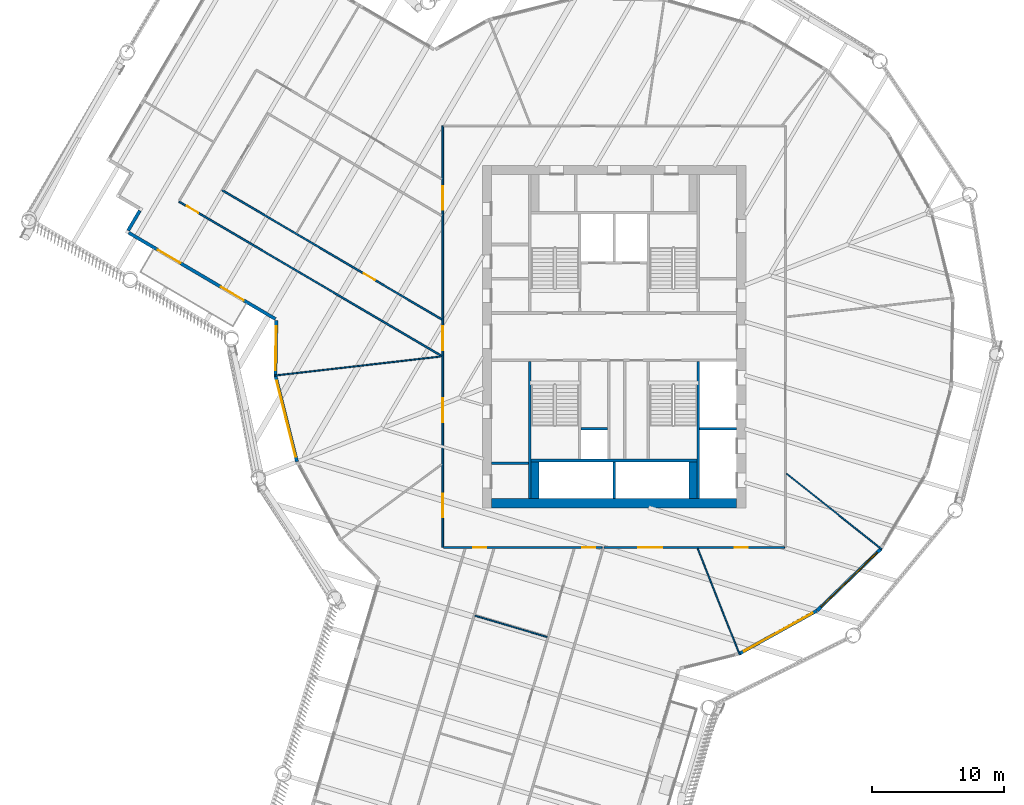
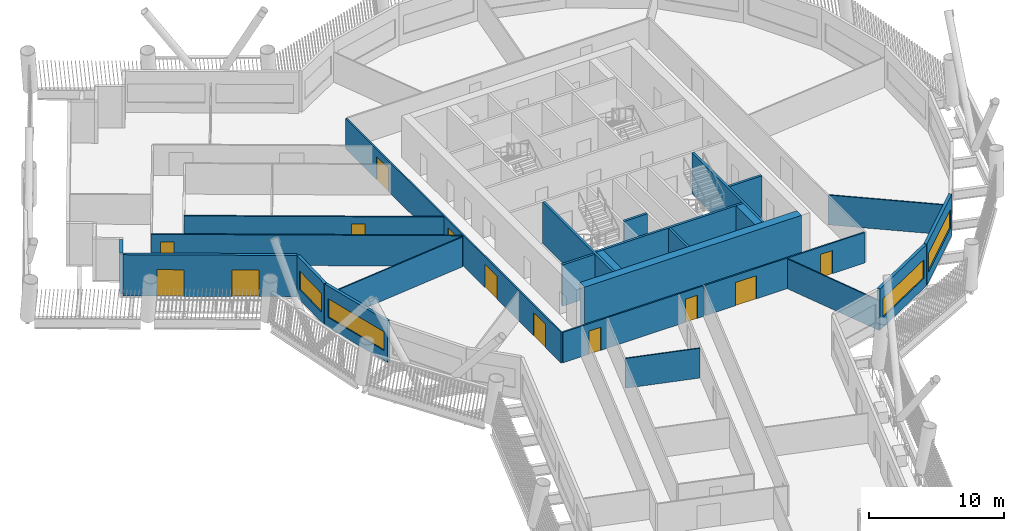
# One storey, part 4 of 23: 25 walls, 12 doors, 4 windows, 16 openings.
"""IFC4 building model written with IfcOpenShell, lengths in metres."""

import ifcopenshell
import ifcopenshell.guid

model = None  # the IFC model being written
_history = None  # IfcOwnerHistory: only IFC2X3 demands one
_inside = {}  # id of a spatial element -> (the spatial element, [elements in it])
_under = {}  # id of a project, library or spatial element -> (it, [spatial elements below it])
_declared = {}  # id of a project -> (the project, [libraries it declares])
_typed = {}  # id of a type object -> (the type object, [elements of that type])
_made_of = {}  # id of a material, layer set ... -> (it, [elements and type objects made of it])


def new_model(schema):
    """Start an empty IFC model of exactly this schema.

    Asked for "IFC4X3", IfcOpenShell would pick the latest addendum, in which some entities
    have other attributes; the version numbers below select the first issue.
    IFC2X3 requires an IfcOwnerHistory on every rooted entity: one is made here for all.
    """
    global model, _history
    if schema == "IFC4X3":
        model = ifcopenshell.file(schema_version=(4, 3, 0, 0))
    else:
        model = ifcopenshell.file(schema=schema)
    _inside.clear()
    _under.clear()
    _declared.clear()
    _typed.clear()
    _made_of.clear()
    _history = None
    if model.schema == "IFC2X3":
        org = make("IfcOrganization", Name="unknown")
        user = make(
            "IfcPersonAndOrganization",
            ThePerson=make("IfcPerson", FamilyName="unknown"),
            TheOrganization=org,
        )
        app = make(
            "IfcApplication",
            ApplicationDeveloper=org,
            Version="unknown",
            ApplicationFullName="unknown",
            ApplicationIdentifier="unknown",
        )
        _history = make(
            "IfcOwnerHistory",
            OwningUser=user,
            OwningApplication=app,
            ChangeAction="ADDED",
            CreationDate=0,
        )
    return model


def make(cls, **values):
    """One entity of the class cls with the attributes given. An attribute that is None is left unset."""
    return model.create_entity(
        cls, **{name: value for name, value in values.items() if value is not None}
    )


def rooted(cls, **values):
    """An entity with a GlobalId (a new one), such as an element, a storey or a relation."""
    return make(cls, GlobalId=ifcopenshell.guid.new(), OwnerHistory=_history, **values)


def si_unit(unit_type, name, prefix=None):
    """IfcSIUnit, for example si_unit("LENGTHUNIT", "METRE", prefix="MILLI")."""
    return make("IfcSIUnit", UnitType=unit_type, Prefix=prefix, Name=name)


def assignment(units):
    """IfcUnitAssignment: the units of a project."""
    return None if units is None else make("IfcUnitAssignment", Units=units)


def point(xyz):
    """IfcCartesianPoint."""
    return None if xyz is None else make("IfcCartesianPoint", Coordinates=xyz)


def direction(xyz):
    """IfcDirection."""
    return None if xyz is None else make("IfcDirection", DirectionRatios=xyz)


def frame(location, z_axis=None, x_axis=None):
    """IfcAxis2Placement3D, a coordinate frame: its origin and axes. An axis left out is left unset."""
    return make(
        "IfcAxis2Placement3D",
        Location=point(location),
        Axis=direction(z_axis),
        RefDirection=direction(x_axis),
    )


def frame_2d(location, x_axis=None):
    """IfcAxis2Placement2D, a coordinate frame in the plane: its origin and x axis."""
    return make(
        "IfcAxis2Placement2D", Location=point(location), RefDirection=direction(x_axis)
    )


def origin():
    """The frame at (0, 0, 0) with its axes left unset."""
    return frame((0.0, 0.0, 0.0))


def place(relative_to, where):
    """IfcLocalPlacement: puts the frame where relative to a parent placement (None: the world)."""
    return make(
        "IfcLocalPlacement", PlacementRelTo=relative_to, RelativePlacement=where
    )


def context(
    kind, dimensions, precision=None, world=None, true_north=None, identifier=None
):
    """IfcGeometricRepresentationContext, for example the 3D "Model" context."""
    return make(
        "IfcGeometricRepresentationContext",
        ContextIdentifier=identifier,
        ContextType=kind,
        CoordinateSpaceDimension=dimensions,
        Precision=precision,
        WorldCoordinateSystem=world,
        TrueNorth=true_north,
    )


def subcontext(parent, identifier, kind, view, scale=None):
    """IfcGeometricRepresentationSubContext, for example "Body" below "Model"."""
    return make(
        "IfcGeometricRepresentationSubContext",
        ContextIdentifier=identifier,
        ContextType=kind,
        ParentContext=parent,
        TargetScale=scale,
        TargetView=view,
    )


def project(units=None, contexts=None):
    """IfcProject with its units and contexts."""
    return rooted(
        "IfcProject",
        Name="project",
        RepresentationContexts=contexts,
        UnitsInContext=assignment(units),
    )


def spatial(cls, under=None, at=None, **own):
    """A site, building, storey or space (cls), placed at a placement, below another one or the project."""
    s = rooted(cls, ObjectPlacement=at, **own)
    if under is not None:
        _under.setdefault(under.id(), (under, []))[1].append(s)
    return s


def profile(cls, at=None, kind="AREA", **sizes):
    """A parametric profile (cls). Its sizes go by their IFC names, for example OverallWidth=200.0."""
    return make(cls, ProfileType=kind, Position=at, **sizes)


def rectangle(**sizes):
    """IfcRectangleProfileDef."""
    return profile("IfcRectangleProfileDef", **sizes)


def extrude(swept, where, along, depth):
    """IfcExtrudedAreaSolid: the profile swept, set in the frame where, extruded along a direction by depth."""
    return make(
        "IfcExtrudedAreaSolid",
        SweptArea=swept,
        Position=where,
        ExtrudedDirection=direction(along),
        Depth=depth,
    )


def shape(context_of_items, identifier, shape_type, items):
    """IfcShapeRepresentation: the items that make up one representation, for example the "Body"."""
    return make(
        "IfcShapeRepresentation",
        ContextOfItems=context_of_items,
        RepresentationIdentifier=identifier,
        RepresentationType=shape_type,
        Items=items,
    )


def material(Name=None, Category=None):
    """IfcMaterial."""
    return make("IfcMaterial", Name=Name, Category=Category)


def layer(
    of_material, thickness, ventilated=None, Name=None, Category=None, Priority=None
):
    """IfcMaterialLayer: one layer of a wall or slab, of a material (None: an air gap)."""
    return make(
        "IfcMaterialLayer",
        Material=of_material,
        LayerThickness=thickness,
        IsVentilated=ventilated,
        Name=Name,
        Category=Category,
        Priority=Priority,
    )


def layer_set(layers, Name=None):
    """IfcMaterialLayerSet."""
    return make("IfcMaterialLayerSet", MaterialLayers=layers, LayerSetName=Name)


def made_of(thing, what):
    """Note that an element or type object is made of a material, layer set ...; save() writes the relation."""
    if what is not None:
        _made_of.setdefault(what.id(), (what, []))[1].append(thing)
    return thing


def type_object(cls, material=None, **own):
    """A type object (cls), such as IfcWallType, which elements share."""
    return made_of(rooted(cls, **own), material)


def element(
    cls,
    number,
    at=None,
    inside=None,
    cuts=None,
    type_object=None,
    material=None,
    context=None,
    identifier="Body",
    shape_type=None,
    held_by="IfcProductDefinitionShape",
    body=None,
    shapes=None,
    **own,
):
    """One element of the class cls, such as IfcWall. Its Tag is "e" and its number.

    at: its placement. inside: the storey or other place that contains it. cuts: it is an
    opening in that element (IfcRelVoidsElement). A single representation is given by context,
    identifier, shape_type and body (its items); several are given by shapes. held_by: the class
    of the entity that holds the representations. save() writes the other relations.
    """
    e = rooted(cls, Tag="e%d" % number, ObjectPlacement=at, **own)
    if body is not None:
        shapes = [shape(context, identifier, shape_type, body)]
    if shapes is not None:
        e.Representation = make(held_by, Representations=shapes)
    if inside is not None:
        _inside.setdefault(inside.id(), (inside, []))[1].append(e)
    if cuts is not None:
        rooted(
            "IfcRelVoidsElement", RelatingBuildingElement=cuts, RelatedOpeningElement=e
        )
    if type_object is not None:
        _typed.setdefault(type_object.id(), (type_object, []))[1].append(e)
    return made_of(e, material)


def fill(opening, filler):
    """IfcRelFillsElement: the door or window that sits in an opening."""
    return rooted(
        "IfcRelFillsElement",
        RelatingOpeningElement=opening,
        RelatedBuildingElement=filler,
    )


def aggregate(whole, parts):
    """IfcRelAggregates: a whole, such as a stair, and the parts it consists of."""
    return rooted("IfcRelAggregates", RelatingObject=whole, RelatedObjects=parts)


def save(model, path):
    """Write the relations noted so far, then the file.

    IfcRelAggregates (storeys below a building ...), IfcRelContainedInSpatialStructure (elements
    in a storey), IfcRelDefinesByType, IfcRelAssociatesMaterial and IfcRelDeclares: one each for
    every whole, place, type object, material and project.
    """
    for whole, parts in _under.values():
        aggregate(whole, parts)
    for where, things in _inside.values():
        rooted(
            "IfcRelContainedInSpatialStructure",
            RelatedElements=things,
            RelatingStructure=where,
        )
    for kind, things in _typed.values():
        rooted("IfcRelDefinesByType", RelatedObjects=things, RelatingType=kind)
    for what, things in _made_of.values():
        rooted("IfcRelAssociatesMaterial", RelatedObjects=things, RelatingMaterial=what)
    for by, libraries in _declared.values():
        rooted("IfcRelDeclares", RelatingContext=by, RelatedDefinitions=libraries)
    model.write(path)


model = new_model("IFC4")

# Units and contexts
model_context = context("Model", 3, precision=1e-05, world=origin(), true_north=direction((0.0, 1.0)))
body_context = subcontext(model_context, "Body", "Model", "MODEL_VIEW")
ifc_project = project(units=[si_unit("LENGTHUNIT", "METRE"), si_unit("AREAUNIT", "SQUARE_METRE"), si_unit("VOLUMEUNIT", "CUBIC_METRE"), si_unit("PLANEANGLEUNIT", "RADIAN"), si_unit("MASSUNIT", "GRAM", prefix="KILO")], contexts=[model_context])

# Site, building, storey
site_placement = place(None, origin())
site = spatial("IfcSite", under=ifc_project, at=site_placement, CompositionType="ELEMENT")
building_placement = place(site_placement, origin())
building = spatial("IfcBuilding", under=site, at=building_placement, Name="Tarsis Ring Headquarters", CompositionType="ELEMENT")
storey_placement = place(building_placement, frame((0.0, 0.0, 155.39990234375)))
storey = spatial("IfcBuildingStorey", under=building, at=storey_placement, Name="L35", CompositionType="ELEMENT", Elevation=155.39990234375)

# Walls
ifc_material_1 = material(Name="Blockwork", Category="masonry")
ifc_layer_1 = layer(ifc_material_1, 0.199951171875)
ifc_layer_set_1 = layer_set([ifc_layer_1], Name="Core blockwork wall 200")
wall_type_1 = type_object("IfcWallType", Name="Core blockwork wall 200", PredefinedType="PARTITIONING", material=ifc_layer_set_1)
wall_1_placement = place(storey_placement, frame((-9.300048828125, -9.60009765625, 0.0), z_axis=(0.0, 0.0, 1.0), x_axis=(1.0, 0.0, 0.0)))
element("IfcWall", 1, at=wall_1_placement, inside=storey, type_object=wall_type_1, Name="Core partition WD1", PredefinedType="PARTITIONING", context=body_context, shape_type="SweptSolid", body=[
    extrude(rectangle(XDim=2.800048828125, YDim=0.199951171875, at=frame_2d((1.39990234375, 0.0))), origin(), (0.0, 0.0, 1.0), 3.739990234375),
])
wall_2_placement = place(storey_placement, frame((-2.5, -7.0, 0.0), z_axis=(0.0, 0.0, 1.0), x_axis=(1.0, 0.0, 0.0)))
element("IfcWall", 2, at=wall_2_placement, inside=storey, type_object=wall_type_1, Name="Core partition SP1", PredefinedType="PARTITIONING", context=body_context, shape_type="SweptSolid", body=[
    extrude(rectangle(XDim=2.0, YDim=0.199951171875, at=frame_2d((1.0, 0.0))), origin(), (0.0, 0.0, 1.0), 3.739990234375),
])
ifc_material_2 = material(Name="Concrete C60/75", Category="concrete")
ifc_layer_2 = layer(ifc_material_2, 0.699951171875)
ifc_layer_set_2 = layer_set([ifc_layer_2], Name="Core wall 700 C60/75")
wall_type_2 = type_object("IfcWallType", Name="Core wall 700 C60/75", PredefinedType="SHEAR", material=ifc_layer_set_2)
wall_3_placement = place(storey_placement, frame((-9.300048828125, -12.64990234375, 0.0), z_axis=(0.0, 0.0, 1.0), x_axis=(1.0, 0.0, 0.0)))
element("IfcWall", 3, at=wall_3_placement, inside=storey, type_object=wall_type_2, Name="Core wall OS", PredefinedType="SHEAR", context=body_context, shape_type="SweptSolid", body=[
    extrude(rectangle(XDim=18.60009765625, YDim=0.699951171875, at=frame_2d((9.300048828125, 0.0))), origin(), (0.0, 0.0, 1.0), 3.739990234375),
])
ifc_material_3 = material(Name="Gypsum board on steel studs", Category="steel")
ifc_layer_3 = layer(ifc_material_3, 0.10009765625)
ifc_layer_set_3 = layer_set([ifc_layer_3], Name="FL partition 100 unrated")
wall_type_3 = type_object("IfcWallType", Name="FL partition 100 unrated", PredefinedType="PARTITIONING", material=ifc_layer_set_3)
wall_4_placement = place(storey_placement, frame((-25.779052734375, -2.955322265625, 0.0), z_axis=(0.0, 0.0, 1.0), x_axis=(0.993493051768, 0.113892739401, 0.0)))
element("IfcWall", 4, at=wall_4_placement, inside=storey, type_object=wall_type_3, Name="Partition PW3", PredefinedType="PARTITIONING", context=body_context, shape_type="SweptSolid", body=[
    extrude(rectangle(XDim=12.6708984375, YDim=0.10009765625, at=frame_2d((6.33544921875, 0.0))), origin(), (0.0, 0.0, 1.0), 2.7001953125),
])
wall_5_placement = place(storey_placement, frame((13.086181640625, -10.394287109375, 0.0), z_axis=(0.0, 0.0, 1.0), x_axis=(0.783048370037, -0.621960810809, 0.0)))
element("IfcWall", 5, at=wall_5_placement, inside=storey, type_object=wall_type_3, Name="Partition PW3", PredefinedType="PARTITIONING", context=body_context, shape_type="SweptSolid", body=[
    extrude(rectangle(XDim=9.23583984375, YDim=0.10009765625, at=frame_2d((4.617919921875, 0.0))), origin(), (0.0, 0.0, 1.0), 2.7001953125),
])
wall_6_placement = place(storey_placement, frame((6.3447265625, -16.074462890625, 0.0), z_axis=(0.0, 0.0, 1.0), x_axis=(0.367171024418, -0.930153449076, 0.0)))
element("IfcWall", 6, at=wall_6_placement, inside=storey, type_object=wall_type_3, Name="Partition PW3", PredefinedType="PARTITIONING", context=body_context, shape_type="SweptSolid", body=[
    extrude(rectangle(XDim=8.66650390625, YDim=0.10009765625, at=frame_2d((4.333251953125, 0.0))), origin(), (0.0, 0.0, 1.0), 2.7001953125),
])
wall_7_placement = place(storey_placement, frame((-10.552978515625, -21.177734375, 0.0), z_axis=(0.0, 0.0, 1.0), x_axis=(0.959020353257, -0.283337187887, 0.0)))
element("IfcWall", 7, at=wall_7_placement, inside=storey, type_object=wall_type_3, Name="Partition PW3", PredefinedType="PARTITIONING", context=body_context, shape_type="SweptSolid", body=[
    extrude(rectangle(XDim=5.699951171875, YDim=0.10009765625, at=frame_2d((2.85009765625, 0.0))), origin(), (0.0, 0.0, 1.0), 2.7001953125),
])

# Wall, openings, doors
ifc_layer_4 = layer(ifc_material_3, 0.125)
ifc_layer_set_4 = layer_set([ifc_layer_4], Name="FL partition 125 EI 60 H2770")
wall_type_4 = type_object("IfcWallType", Name="FL partition 125 EI 60 H2770", PredefinedType="PARTITIONING", material=ifc_layer_set_4)
wall_8_placement = place(storey_placement, frame((-13.0, -15.998046875, 0.0), z_axis=(0.0, 0.0, 1.0), x_axis=(0.0, 1.0, 0.0)))
wall_8 = element("IfcWall", 8, at=wall_8_placement, inside=storey, type_object=wall_type_4, Name="Partition PW1", PredefinedType="PARTITIONING", context=body_context, shape_type="SweptSolid", body=[
    extrude(rectangle(XDim=31.998046875, YDim=0.125, at=frame_2d((15.9990234375, 0.0))), origin(), (0.0, 0.0, 1.0), 2.77001953125),
])
opening_1_placement = place(wall_8_placement, frame((2.2822265625, 0.0, 0.0)))
opening_1 = element("IfcOpeningElement", 9, at=opening_1_placement, cuts=wall_8, Name="Opening D35.12", PredefinedType="OPENING", context=body_context, shape_type="SweptSolid", body=[
    extrude(rectangle(XDim=1.800048828125, YDim=2.10009765625, at=frame_2d((0.89990234375, 1.050048828125))), frame((0.0, 0.072509765625, 0.0), z_axis=(0.0, -1.0, 0.0), x_axis=(1.0, 0.0, 0.0)), (0.0, 0.0, 1.0), 0.14501953125),
])
opening_2_placement = place(wall_8_placement, frame((9.521484375, 0.0, 0.0)))
opening_2 = element("IfcOpeningElement", 10, at=opening_2_placement, cuts=wall_8, Name="Opening D35.13", PredefinedType="OPENING", context=body_context, shape_type="SweptSolid", body=[
    extrude(rectangle(XDim=1.800048828125, YDim=2.10009765625, at=frame_2d((0.89990234375, 1.050048828125))), frame((0.0, 0.072509765625, 0.0), z_axis=(0.0, -1.0, 0.0), x_axis=(1.0, 0.0, 0.0)), (0.0, 0.0, 1.0), 0.14501953125),
])
opening_3_placement = place(wall_8_placement, frame((14.970703125, 0.0, 0.0)))
opening_3 = element("IfcOpeningElement", 11, at=opening_3_placement, cuts=wall_8, Name="Opening D35.21", PredefinedType="OPENING", context=body_context, shape_type="SweptSolid", body=[
    extrude(rectangle(XDim=1.800048828125, YDim=2.10009765625, at=frame_2d((0.89990234375, 1.050048828125))), frame((0.0, 0.072509765625, 0.0), z_axis=(0.0, -1.0, 0.0), x_axis=(1.0, 0.0, 0.0)), (0.0, 0.0, 1.0), 0.14501953125),
])
opening_4_placement = place(wall_8_placement, frame((25.62060546875, 0.0, 0.0)))
opening_4 = element("IfcOpeningElement", 12, at=opening_4_placement, cuts=wall_8, Name="Opening D35.22", PredefinedType="OPENING", context=body_context, shape_type="SweptSolid", body=[
    extrude(rectangle(XDim=1.800048828125, YDim=2.10009765625, at=frame_2d((0.89990234375, 1.050048828125))), frame((0.0, 0.072509765625, 0.0), z_axis=(0.0, -1.0, 0.0), x_axis=(1.0, 0.0, 0.0)), (0.0, 0.0, 1.0), 0.14501953125),
])
ifc_material_4 = material(Name="Fire-rated timber door leaf in steel frame", Category="steel")
door_type_1 = type_object("IfcDoorType", Name="FL door FD60-1800", OperationType="DOUBLE_DOOR_SINGLE_SWING", PredefinedType="DOOR", material=ifc_material_4)
door_1_placement = place(opening_1_placement, origin())
door_1 = element("IfcDoor", 13, at=door_1_placement, inside=storey, type_object=door_type_1, Name="Door D35.12", OperationType="DOUBLE_DOOR_SINGLE_SWING", OverallHeight=2.10009765625, OverallWidth=1.800048828125, PredefinedType="DOOR", context=body_context, shape_type="SweptSolid", body=[
    extrude(rectangle(XDim=1.800048828125, YDim=2.10009765625, at=frame_2d((0.89990234375, 1.050048828125))), frame((0.0, 0.02490234375, 0.0), z_axis=(0.0, -1.0, 0.0), x_axis=(1.0, 0.0, 0.0)), (0.0, 0.0, 1.0), 0.050048828125),
])
fill(opening_1, door_1)
door_2_placement = place(opening_2_placement, origin())
door_2 = element("IfcDoor", 14, at=door_2_placement, inside=storey, type_object=door_type_1, Name="Door D35.13", OperationType="DOUBLE_DOOR_SINGLE_SWING", OverallHeight=2.10009765625, OverallWidth=1.800048828125, PredefinedType="DOOR", context=body_context, shape_type="SweptSolid", body=[
    extrude(rectangle(XDim=1.800048828125, YDim=2.10009765625, at=frame_2d((0.89990234375, 1.050048828125))), frame((0.0, 0.02490234375, 0.0), z_axis=(0.0, -1.0, 0.0), x_axis=(1.0, 0.0, 0.0)), (0.0, 0.0, 1.0), 0.050048828125),
])
fill(opening_2, door_2)
door_3_placement = place(opening_3_placement, origin())
door_3 = element("IfcDoor", 15, at=door_3_placement, inside=storey, type_object=door_type_1, Name="Door D35.21", OperationType="DOUBLE_DOOR_SINGLE_SWING", OverallHeight=2.10009765625, OverallWidth=1.800048828125, PredefinedType="DOOR", context=body_context, shape_type="SweptSolid", body=[
    extrude(rectangle(XDim=1.800048828125, YDim=2.10009765625, at=frame_2d((0.89990234375, 1.050048828125))), frame((0.0, 0.02490234375, 0.0), z_axis=(0.0, -1.0, 0.0), x_axis=(1.0, 0.0, 0.0)), (0.0, 0.0, 1.0), 0.050048828125),
])
fill(opening_3, door_3)
door_4_placement = place(opening_4_placement, origin())
door_4 = element("IfcDoor", 16, at=door_4_placement, inside=storey, type_object=door_type_1, Name="Door D35.22", OperationType="DOUBLE_DOOR_SINGLE_SWING", OverallHeight=2.10009765625, OverallWidth=1.800048828125, PredefinedType="DOOR", context=body_context, shape_type="SweptSolid", body=[
    extrude(rectangle(XDim=1.800048828125, YDim=2.10009765625, at=frame_2d((0.89990234375, 1.050048828125))), frame((0.0, 0.02490234375, 0.0), z_axis=(0.0, -1.0, 0.0), x_axis=(1.0, 0.0, 0.0)), (0.0, 0.0, 1.0), 0.050048828125),
])
fill(opening_4, door_4)

wall_9_placement = place(storey_placement, frame((-12.93798828125, -16.0, 0.0), z_axis=(0.0, 0.0, 1.0), x_axis=(1.0, 0.0, 0.0)))
wall_9 = element("IfcWall", 17, at=wall_9_placement, inside=storey, type_object=wall_type_4, Name="Partition PW1", PredefinedType="PARTITIONING", context=body_context, shape_type="SweptSolid", body=[
    extrude(rectangle(XDim=12.037353515625, YDim=0.125, at=frame_2d((6.0185546875, 0.0))), origin(), (0.0, 0.0, 1.0), 2.77001953125),
])
opening_5_placement = place(wall_9_placement, frame((2.246826171875, 0.0, 0.0)))
opening_5 = element("IfcOpeningElement", 18, at=opening_5_placement, cuts=wall_9, Name="Opening D35.19", PredefinedType="OPENING", context=body_context, shape_type="SweptSolid", body=[
    extrude(rectangle(XDim=1.0, YDim=2.10009765625, at=frame_2d((0.5, 1.050048828125))), frame((0.0, 0.072509765625, 0.0), z_axis=(0.0, -1.0, 0.0), x_axis=(1.0, 0.0, 0.0)), (0.0, 0.0, 1.0), 0.14501953125),
])
opening_6_placement = place(wall_9_placement, frame((10.526123046875, 0.0, 0.0)))
opening_6 = element("IfcOpeningElement", 19, at=opening_6_placement, cuts=wall_9, Name="Opening D35.20", PredefinedType="OPENING", context=body_context, shape_type="SweptSolid", body=[
    extrude(rectangle(XDim=1.0, YDim=2.10009765625, at=frame_2d((0.5, 1.050048828125))), frame((0.0, 0.072509765625, 0.0), z_axis=(0.0, -1.0, 0.0), x_axis=(1.0, 0.0, 0.0)), (0.0, 0.0, 1.0), 0.14501953125),
])
door_type_2 = type_object("IfcDoorType", Name="FL door FD60-1000", OperationType="NOTDEFINED", PredefinedType="DOOR", material=ifc_material_4)
door_5_placement = place(opening_5_placement, origin())
door_5 = element("IfcDoor", 20, at=door_5_placement, inside=storey, type_object=door_type_2, Name="Door D35.19", OperationType="SINGLE_SWING_RIGHT", OverallHeight=2.10009765625, OverallWidth=1.0, PredefinedType="DOOR", context=body_context, shape_type="SweptSolid", body=[
    extrude(rectangle(XDim=1.0, YDim=2.10009765625, at=frame_2d((0.5, 1.050048828125))), frame((0.0, 0.02490234375, 0.0), z_axis=(0.0, -1.0, 0.0), x_axis=(1.0, 0.0, 0.0)), (0.0, 0.0, 1.0), 0.050048828125),
])
fill(opening_5, door_5)
door_6_placement = place(opening_6_placement, origin())
door_6 = element("IfcDoor", 21, at=door_6_placement, inside=storey, type_object=door_type_2, Name="Door D35.20", OperationType="SINGLE_SWING_LEFT", OverallHeight=2.10009765625, OverallWidth=1.0, PredefinedType="DOOR", context=body_context, shape_type="SweptSolid", body=[
    extrude(rectangle(XDim=1.0, YDim=2.10009765625, at=frame_2d((0.5, 1.050048828125))), frame((0.0, 0.02490234375, 0.0), z_axis=(0.0, -1.0, 0.0), x_axis=(1.0, 0.0, 0.0)), (0.0, 0.0, 1.0), 0.050048828125),
])
fill(opening_6, door_6)

wall_10_placement = place(storey_placement, frame((-0.757080078125, -16.0, 0.0), z_axis=(0.0, 0.0, 1.0), x_axis=(1.0, 0.0, 0.0)))
wall_10 = element("IfcWall", 22, at=wall_10_placement, inside=storey, type_object=wall_type_4, Name="Partition PW1", PredefinedType="PARTITIONING", context=body_context, shape_type="SweptSolid", body=[
    extrude(rectangle(XDim=13.697021484375, YDim=0.125, at=frame_2d((6.8486328125, 0.0))), origin(), (0.0, 0.0, 1.0), 2.77001953125),
])
opening_7_placement = place(wall_10_placement, frame((9.914794921875, 0.0, 0.0)))
opening_7 = element("IfcOpeningElement", 23, at=opening_7_placement, cuts=wall_10, Name="Opening D35.08", PredefinedType="OPENING", context=body_context, shape_type="SweptSolid", body=[
    extrude(rectangle(XDim=1.0, YDim=2.10009765625, at=frame_2d((0.5, 1.050048828125))), frame((0.0, 0.072509765625, 0.0), z_axis=(0.0, -1.0, 0.0), x_axis=(1.0, 0.0, 0.0)), (0.0, 0.0, 1.0), 0.14501953125),
])
opening_8_placement = place(wall_10_placement, frame((2.606201171875, 0.0, 0.0)))
opening_8 = element("IfcOpeningElement", 24, at=opening_8_placement, cuts=wall_10, Name="Opening D35.09", PredefinedType="OPENING", context=body_context, shape_type="SweptSolid", body=[
    extrude(rectangle(XDim=1.800048828125, YDim=2.10009765625, at=frame_2d((0.89990234375, 1.050048828125))), frame((0.0, 0.072509765625, 0.0), z_axis=(0.0, -1.0, 0.0), x_axis=(1.0, 0.0, 0.0)), (0.0, 0.0, 1.0), 0.14501953125),
])
door_7_placement = place(opening_7_placement, origin())
door_7 = element("IfcDoor", 25, at=door_7_placement, inside=storey, type_object=door_type_2, Name="Door D35.08", OperationType="SINGLE_SWING_LEFT", OverallHeight=2.10009765625, OverallWidth=1.0, PredefinedType="DOOR", context=body_context, shape_type="SweptSolid", body=[
    extrude(rectangle(XDim=1.0, YDim=2.10009765625, at=frame_2d((0.5, 1.050048828125))), frame((0.0, 0.02490234375, 0.0), z_axis=(0.0, -1.0, 0.0), x_axis=(1.0, 0.0, 0.0)), (0.0, 0.0, 1.0), 0.050048828125),
])
fill(opening_7, door_7)
door_8_placement = place(opening_8_placement, origin())
door_8 = element("IfcDoor", 26, at=door_8_placement, inside=storey, type_object=door_type_1, Name="Door D35.09", OperationType="DOUBLE_DOOR_SINGLE_SWING", OverallHeight=2.10009765625, OverallWidth=1.800048828125, PredefinedType="DOOR", context=body_context, shape_type="SweptSolid", body=[
    extrude(rectangle(XDim=1.800048828125, YDim=2.10009765625, at=frame_2d((0.89990234375, 1.050048828125))), frame((0.0, 0.02490234375, 0.0), z_axis=(0.0, -1.0, 0.0), x_axis=(1.0, 0.0, 0.0)), (0.0, 0.0, 1.0), 0.050048828125),
])
fill(opening_8, door_8)

# Wall, opening, door
wall_11_placement = place(storey_placement, frame((-33.02783203125, 10.2587890625, 0.0), z_axis=(0.0, 0.0, 1.0), x_axis=(0.861983313975, -0.506936649324, 0.0)))
wall_11 = element("IfcWall", 27, at=wall_11_placement, inside=storey, type_object=wall_type_4, Name="Partition PW1", PredefinedType="PARTITIONING", context=body_context, shape_type="SweptSolid", body=[
    extrude(rectangle(XDim=23.134521484375, YDim=0.125, at=frame_2d((11.5673828125, 0.0))), origin(), (0.0, 0.0, 1.0), 2.77001953125),
])
opening_9_placement = place(wall_11_placement, frame((0.699951171875, 0.0, 0.0)))
opening_9 = element("IfcOpeningElement", 28, at=opening_9_placement, cuts=wall_11, Name="Opening D35.01", PredefinedType="OPENING", context=body_context, shape_type="SweptSolid", body=[
    extrude(rectangle(XDim=1.0, YDim=2.10009765625, at=frame_2d((0.5, 1.050048828125))), frame((0.0, 0.072509765625, 0.0), z_axis=(0.0, -1.0, 0.0), x_axis=(1.0, 0.0, 0.0)), (0.0, 0.0, 1.0), 0.14501953125),
])
door_9_placement = place(opening_9_placement, origin())
door_9 = element("IfcDoor", 29, at=door_9_placement, inside=storey, type_object=door_type_2, Name="Door D35.01", OperationType="SINGLE_SWING_RIGHT", OverallHeight=2.10009765625, OverallWidth=1.0, PredefinedType="DOOR", context=body_context, shape_type="SweptSolid", body=[
    extrude(rectangle(XDim=1.0, YDim=2.10009765625, at=frame_2d((0.5, 1.050048828125))), frame((0.0, 0.02490234375, 0.0), z_axis=(0.0, -1.0, 0.0), x_axis=(1.0, 0.0, 0.0)), (0.0, 0.0, 1.0), 0.050048828125),
])
fill(opening_9, door_9)

wall_12_placement = place(storey_placement, frame((-29.742431640625, 11.111083984375, 0.0), z_axis=(0.0, 0.0, 1.0), x_axis=(0.861982605952, -0.506937853228, 0.0)))
wall_12 = element("IfcWall", 30, at=wall_12_placement, inside=storey, type_object=wall_type_4, Name="Partition PW1", PredefinedType="PARTITIONING", context=body_context, shape_type="SweptSolid", body=[
    extrude(rectangle(XDim=19.3232421875, YDim=0.125, at=frame_2d((9.66162109375, 0.0))), origin(), (0.0, 0.0, 1.0), 2.77001953125),
])
opening_10_placement = place(wall_12_placement, frame((12.465576171875, 0.0, 0.0)))
opening_10 = element("IfcOpeningElement", 31, at=opening_10_placement, cuts=wall_12, Name="Opening D35.14", PredefinedType="OPENING", context=body_context, shape_type="SweptSolid", body=[
    extrude(rectangle(XDim=1.0, YDim=2.10009765625, at=frame_2d((0.5, 1.050048828125))), frame((0.0, 0.072509765625, 0.0), z_axis=(0.0, -1.0, 0.0), x_axis=(1.0, 0.0, 0.0)), (0.0, 0.0, 1.0), 0.14501953125),
])
door_10_placement = place(opening_10_placement, origin())
door_10 = element("IfcDoor", 32, at=door_10_placement, inside=storey, type_object=door_type_2, Name="Door D35.14", OperationType="SINGLE_SWING_LEFT", OverallHeight=2.10009765625, OverallWidth=1.0, PredefinedType="DOOR", context=body_context, shape_type="SweptSolid", body=[
    extrude(rectangle(XDim=1.0, YDim=2.10009765625, at=frame_2d((0.5, 1.050048828125))), frame((0.0, 0.02490234375, 0.0), z_axis=(0.0, -1.0, 0.0), x_axis=(1.0, 0.0, 0.0)), (0.0, 0.0, 1.0), 0.050048828125),
])
fill(opening_10, door_10)

# Wall, openings, doors
ifc_material_5 = material(Name="Terracotta clad insulated panel wall", Category="masonry")
ifc_layer_5 = layer(ifc_material_5, 0.25)
ifc_layer_set_5 = layer_set([ifc_layer_5], Name="Facade wall terracotta panel 250")
wall_type_5 = type_object("IfcWallType", Name="Facade wall terracotta panel 250", PredefinedType="STANDARD", material=ifc_layer_set_5)
wall_13_placement = place(storey_placement, frame((-36.835693359375, 7.886962890625, 0.0), z_axis=(0.0, 0.0, 1.0), x_axis=(0.861975981819, -0.506949116546, 0.0)))
wall_13 = element("IfcWall", 33, at=wall_13_placement, inside=storey, type_object=wall_type_5, Name="External wall L35-01", PredefinedType="STANDARD", context=body_context, shape_type="SweptSolid", body=[
    extrude(rectangle(XDim=12.921875, YDim=0.25, at=frame_2d((6.4609375, 0.0))), origin(), (0.0, 0.0, 1.0), 3.739990234375),
])
opening_11_placement = place(wall_13_placement, frame((2.550048828125, 0.0, 0.0)))
opening_11 = element("IfcOpeningElement", 34, at=opening_11_placement, cuts=wall_13, Name="Opening L35-BD01", PredefinedType="OPENING", context=body_context, shape_type="SweptSolid", body=[
    extrude(rectangle(XDim=2.0, YDim=2.39990234375, at=frame_2d((1.0, 1.199951171875))), frame((0.0, 0.135009765625, 0.0), z_axis=(0.0, -1.0, 0.0), x_axis=(1.0, 0.0, 0.0)), (0.0, 0.0, 1.0), 0.27001953125),
])
opening_12_placement = place(wall_13_placement, frame((8.1220703125, 0.0, 0.0)))
opening_12 = element("IfcOpeningElement", 35, at=opening_12_placement, cuts=wall_13, Name="Opening L35-BD02", PredefinedType="OPENING", context=body_context, shape_type="SweptSolid", body=[
    extrude(rectangle(XDim=2.0, YDim=2.39990234375, at=frame_2d((1.0, 1.199951171875))), frame((0.0, 0.135009765625, 0.0), z_axis=(0.0, -1.0, 0.0), x_axis=(1.0, 0.0, 0.0)), (0.0, 0.0, 1.0), 0.27001953125),
])
ifc_material_6 = material(Name="Aluminium framed double glazing", Category="aluminium")
door_type_3 = type_object("IfcDoorType", Name="Balcony sliding door 2000 x 2400", OperationType="SLIDING_TO_LEFT", PredefinedType="DOOR", material=ifc_material_6)
door_11_placement = place(opening_11_placement, origin())
door_11 = element("IfcDoor", 36, at=door_11_placement, inside=storey, type_object=door_type_3, Name="Door L35-BD01", OperationType="SINGLE_SWING_LEFT", OverallHeight=2.39990234375, OverallWidth=2.0, PredefinedType="DOOR", context=body_context, shape_type="SweptSolid", body=[
    extrude(rectangle(XDim=2.0, YDim=2.39990234375, at=frame_2d((1.0, 1.199951171875))), frame((0.0, 0.02490234375, 0.0), z_axis=(0.0, -1.0, 0.0), x_axis=(1.0, 0.0, 0.0)), (0.0, 0.0, 1.0), 0.050048828125),
])
fill(opening_11, door_11)
door_12_placement = place(opening_12_placement, origin())
door_12 = element("IfcDoor", 37, at=door_12_placement, inside=storey, type_object=door_type_3, Name="Door L35-BD02", OperationType="SINGLE_SWING_LEFT", OverallHeight=2.39990234375, OverallWidth=2.0, PredefinedType="DOOR", context=body_context, shape_type="SweptSolid", body=[
    extrude(rectangle(XDim=2.0, YDim=2.39990234375, at=frame_2d((1.0, 1.199951171875))), frame((0.0, 0.02490234375, 0.0), z_axis=(0.0, -1.0, 0.0), x_axis=(1.0, 0.0, 0.0)), (0.0, 0.0, 1.0), 0.050048828125),
])
fill(opening_12, door_12)

# Wall, opening, window
wall_14_placement = place(storey_placement, frame((-25.635498046875, 1.2265625, 0.0), z_axis=(0.0, 0.0, 1.0), x_axis=(-0.016794483076, -0.999858962723, 0.0)))
wall_14 = element("IfcWall", 38, at=wall_14_placement, inside=storey, type_object=wall_type_5, Name="External wall L35-02", PredefinedType="STANDARD", context=body_context, shape_type="SweptSolid", body=[
    extrude(rectangle(XDim=4.157470703125, YDim=0.25, at=frame_2d((2.07861328125, 0.0))), origin(), (0.0, 0.0, 1.0), 3.739990234375),
])
opening_13_placement = place(wall_14_placement, frame((0.420166015625, 0.0, 0.89990234375)))
opening_13 = element("IfcOpeningElement", 39, at=opening_13_placement, cuts=wall_14, Name="Opening WN01", PredefinedType="OPENING", context=body_context, shape_type="SweptSolid", body=[
    extrude(rectangle(XDim=3.35009765625, YDim=1.699951171875, at=frame_2d((1.675048828125, 0.85009765625))), frame((0.0, 0.135009765625, 0.0), z_axis=(0.0, -1.0, 0.0), x_axis=(1.0, 0.0, 0.0)), (0.0, 0.0, 1.0), 0.27001953125),
])
window_type_1 = type_object("IfcWindowType", Name="Facade window 3350 x 1700", PartitioningType="SINGLE_PANEL", PredefinedType="WINDOW", material=ifc_material_6)
window_1_placement = place(opening_13_placement, origin())
window_1 = element("IfcWindow", 40, at=window_1_placement, inside=storey, type_object=window_type_1, Name="Window L35-02.1", OverallHeight=1.699951171875, OverallWidth=3.35009765625, PartitioningType="SINGLE_PANEL", PredefinedType="WINDOW", context=body_context, shape_type="SweptSolid", body=[
    extrude(rectangle(XDim=3.35009765625, YDim=1.699951171875, at=frame_2d((1.675048828125, 0.85009765625))), frame((0.0, 0.030029296875, 0.0), z_axis=(0.0, -1.0, 0.0), x_axis=(1.0, 0.0, 0.0)), (0.0, 0.0, 1.0), 0.06005859375),
])
fill(opening_13, window_1)

wall_15_placement = place(storey_placement, frame((-25.70166015625, -2.962890625, 0.0), z_axis=(0.0, 0.0, 1.0), x_axis=(0.242629633266, -0.970118993248, 0.0)))
wall_15 = element("IfcWall", 41, at=wall_15_placement, inside=storey, type_object=wall_type_5, Name="External wall L35-03", PredefinedType="STANDARD", context=body_context, shape_type="SweptSolid", body=[
    extrude(rectangle(XDim=6.7216796875, YDim=0.25, at=frame_2d((3.36083984375, 0.0))), origin(), (0.0, 0.0, 1.0), 3.739990234375),
])
opening_14_placement = place(wall_15_placement, frame((0.3857421875, 0.0, 0.89990234375)))
opening_14 = element("IfcOpeningElement", 42, at=opening_14_placement, cuts=wall_15, Name="Opening WN07", PredefinedType="OPENING", context=body_context, shape_type="SweptSolid", body=[
    extrude(rectangle(XDim=5.949951171875, YDim=1.699951171875, at=frame_2d((2.97509765625, 0.85009765625))), frame((0.0, 0.135009765625, 0.0), z_axis=(0.0, -1.0, 0.0), x_axis=(1.0, 0.0, 0.0)), (0.0, 0.0, 1.0), 0.27001953125),
])
window_type_2 = type_object("IfcWindowType", Name="Facade window 5950 x 1700", PartitioningType="SINGLE_PANEL", PredefinedType="WINDOW", material=ifc_material_6)
window_2_placement = place(opening_14_placement, origin())
window_2 = element("IfcWindow", 43, at=window_2_placement, inside=storey, type_object=window_type_2, Name="Window L35-03.1", OverallHeight=1.699951171875, OverallWidth=5.949951171875, PartitioningType="SINGLE_PANEL", PredefinedType="WINDOW", context=body_context, shape_type="SweptSolid", body=[
    extrude(rectangle(XDim=5.949951171875, YDim=1.699951171875, at=frame_2d((2.97509765625, 0.85009765625))), frame((0.0, 0.030029296875, 0.0), z_axis=(0.0, -1.0, 0.0), x_axis=(1.0, 0.0, 0.0)), (0.0, 0.0, 1.0), 0.06005859375),
])
fill(opening_14, window_2)

wall_16_placement = place(storey_placement, frame((9.513916015625, -24.058837890625, 0.0), z_axis=(0.0, 0.0, 1.0), x_axis=(0.874292590812, 0.485399284766, 0.0)))
wall_16 = element("IfcWall", 44, at=wall_16_placement, inside=storey, type_object=wall_type_5, Name="External wall L35-18", PredefinedType="STANDARD", context=body_context, shape_type="SweptSolid", body=[
    extrude(rectangle(XDim=6.7216796875, YDim=0.25, at=frame_2d((3.36083984375, 0.0))), origin(), (0.0, 0.0, 1.0), 3.739990234375),
])
opening_15_placement = place(wall_16_placement, frame((0.3857421875, 0.0, 0.89990234375)))
opening_15 = element("IfcOpeningElement", 45, at=opening_15_placement, cuts=wall_16, Name="Opening WN07", PredefinedType="OPENING", context=body_context, shape_type="SweptSolid", body=[
    extrude(rectangle(XDim=5.949951171875, YDim=1.699951171875, at=frame_2d((2.97509765625, 0.85009765625))), frame((0.0, 0.135009765625, 0.0), z_axis=(0.0, -1.0, 0.0), x_axis=(1.0, 0.0, 0.0)), (0.0, 0.0, 1.0), 0.27001953125),
])
window_3_placement = place(opening_15_placement, origin())
window_3 = element("IfcWindow", 46, at=window_3_placement, inside=storey, type_object=window_type_2, Name="Window L35-18.1", OverallHeight=1.699951171875, OverallWidth=5.949951171875, PartitioningType="SINGLE_PANEL", PredefinedType="WINDOW", context=body_context, shape_type="SweptSolid", body=[
    extrude(rectangle(XDim=5.949951171875, YDim=1.699951171875, at=frame_2d((2.97509765625, 0.85009765625))), frame((0.0, 0.030029296875, 0.0), z_axis=(0.0, -1.0, 0.0), x_axis=(1.0, 0.0, 0.0)), (0.0, 0.0, 1.0), 0.06005859375),
])
fill(opening_15, window_3)

wall_17_placement = place(storey_placement, frame((15.416748046875, -20.77685546875, 0.0), z_axis=(0.0, 0.0, 1.0), x_axis=(0.718848602154, 0.695166661443, 0.0)))
wall_17 = element("IfcWall", 47, at=wall_17_placement, inside=storey, type_object=wall_type_5, Name="External wall L35-19", PredefinedType="STANDARD", context=body_context, shape_type="SweptSolid", body=[
    extrude(rectangle(XDim=6.7216796875, YDim=0.25, at=frame_2d((3.36083984375, 0.0))), origin(), (0.0, 0.0, 1.0), 3.739990234375),
])
opening_16_placement = place(wall_17_placement, frame((0.3857421875, 0.0, 0.89990234375)))
opening_16 = element("IfcOpeningElement", 48, at=opening_16_placement, cuts=wall_17, Name="Opening WN07", PredefinedType="OPENING", context=body_context, shape_type="SweptSolid", body=[
    extrude(rectangle(XDim=5.949951171875, YDim=1.699951171875, at=frame_2d((2.97509765625, 0.85009765625))), frame((0.0, 0.135009765625, 0.0), z_axis=(0.0, -1.0, 0.0), x_axis=(1.0, 0.0, 0.0)), (0.0, 0.0, 1.0), 0.27001953125),
])
window_4_placement = place(opening_16_placement, origin())
window_4 = element("IfcWindow", 49, at=window_4_placement, inside=storey, type_object=window_type_2, Name="Window L35-19.1", OverallHeight=1.699951171875, OverallWidth=5.949951171875, PartitioningType="SINGLE_PANEL", PredefinedType="WINDOW", context=body_context, shape_type="SweptSolid", body=[
    extrude(rectangle(XDim=5.949951171875, YDim=1.699951171875, at=frame_2d((2.97509765625, 0.85009765625))), frame((0.0, 0.030029296875, 0.0), z_axis=(0.0, -1.0, 0.0), x_axis=(1.0, 0.0, 0.0)), (0.0, 0.0, 1.0), 0.06005859375),
])
fill(opening_16, window_4)

# Walls
wall_18_placement = place(storey_placement, frame((-35.992919921875, 9.56640625, 0.0), z_axis=(0.0, 0.0, 1.0), x_axis=(-0.507007932149, -0.861941388227, 0.0)))
element("IfcWall", 50, at=wall_18_placement, inside=storey, type_object=wall_type_5, Name="External wall L35-40", PredefinedType="STANDARD", context=body_context, shape_type="SweptSolid", body=[
    extrude(rectangle(XDim=1.75, YDim=0.25, at=frame_2d((0.875, 0.0))), origin(), (0.0, 0.0, 1.0), 3.739990234375),
])
ifc_material_7 = material(Name="Concrete C32/40", Category="concrete")
ifc_layer_6 = layer(ifc_material_7, 0.60009765625)
ifc_layer_set_6 = layer_set([ifc_layer_6], Name="Shaft end wall 600 C32/40")
wall_type_6 = type_object("IfcWallType", Name="Shaft end wall 600 C32/40", PredefinedType="SOLIDWALL", material=ifc_layer_set_6)
for number, where, z_axis, x_axis, name in (
    (51, (-6.0, -12.300048828125, 0.0), (0.0, 0.0, 1.0), (0.0, 1.0, 0.0), "Core shaft wall SNE1"),
    (52, (6.0, -12.300048828125, 0.0), (0.0, 0.0, 1.0), (0.0, 1.0, 0.0), "Core shaft wall SNE2"),
):
    element("IfcWall", number, at=place(storey_placement, frame(where, z_axis=z_axis, x_axis=x_axis)), inside=storey, type_object=wall_type_6, Name=name, PredefinedType="SOLIDWALL", context=body_context, shape_type="SweptSolid", body=[
        extrude(rectangle(XDim=2.800048828125, YDim=0.60009765625, at=frame_2d((1.39990234375, 0.0))), origin(), (0.0, 0.0, 1.0), 3.739990234375),
    ])
ifc_layer_7 = layer(ifc_material_7, 0.199951171875)
ifc_layer_set_7 = layer_set([ifc_layer_7], Name="Shaft wall 200 C32/40")
wall_type_7 = type_object("IfcWallType", Name="Shaft wall 200 C32/40", PredefinedType="SOLIDWALL", material=ifc_layer_set_7)
for number, where, z_axis, x_axis, name in (
    (53, (-6.39990234375, -12.300048828125, 0.0), (0.0, 0.0, 1.0), (0.0, 1.0, 0.0), "Core shaft wall WB1"),
    (54, (6.39990234375, -12.300048828125, 0.0), (0.0, 0.0, 1.0), (0.0, 1.0, 0.0), "Core shaft wall EB1"),
):
    element("IfcWall", number, at=place(storey_placement, frame(where, z_axis=z_axis, x_axis=x_axis)), inside=storey, type_object=wall_type_7, Name=name, PredefinedType="SOLIDWALL", context=body_context, shape_type="SweptSolid", body=[
        extrude(rectangle(XDim=10.400146484375, YDim=0.199951171875, at=frame_2d((5.2001953125, 0.0))), origin(), (0.0, 0.0, 1.0), 3.739990234375),
    ])
wall_19_placement = place(storey_placement, frame((-6.300048828125, -9.39990234375, 0.0), z_axis=(0.0, 0.0, 1.0), x_axis=(1.0, 0.0, 0.0)))
element("IfcWall", 55, at=wall_19_placement, inside=storey, type_object=wall_type_7, Name="Core shaft wall SB", PredefinedType="SOLIDWALL", context=body_context, shape_type="SweptSolid", body=[
    extrude(rectangle(XDim=12.60009765625, YDim=0.199951171875, at=frame_2d((6.300048828125, 0.0))), origin(), (0.0, 0.0, 1.0), 3.739990234375),
])
for number, where, z_axis, x_axis, name in (
    (56, (6.5, -7.0, 0.0), (0.0, 0.0, 1.0), (1.0, 0.0, 0.0), "Core shaft wall ED2"),
    (57, (0.0, -12.300048828125, 0.0), (0.0, 0.0, 1.0), (0.0, 1.0, 0.0), "Core shaft wall SD2"),
):
    element("IfcWall", number, at=place(storey_placement, frame(where, z_axis=z_axis, x_axis=x_axis)), inside=storey, type_object=wall_type_7, Name=name, PredefinedType="SOLIDWALL", context=body_context, shape_type="SweptSolid", body=[
        extrude(rectangle(XDim=2.800048828125, YDim=0.199951171875, at=frame_2d((1.39990234375, 0.0))), origin(), (0.0, 0.0, 1.0), 3.739990234375),
    ])

save(model, "model.ifc")
